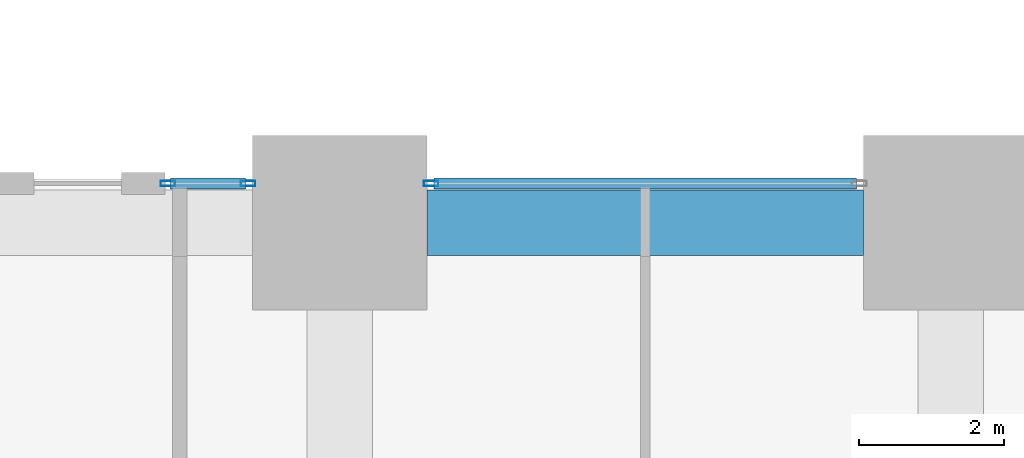
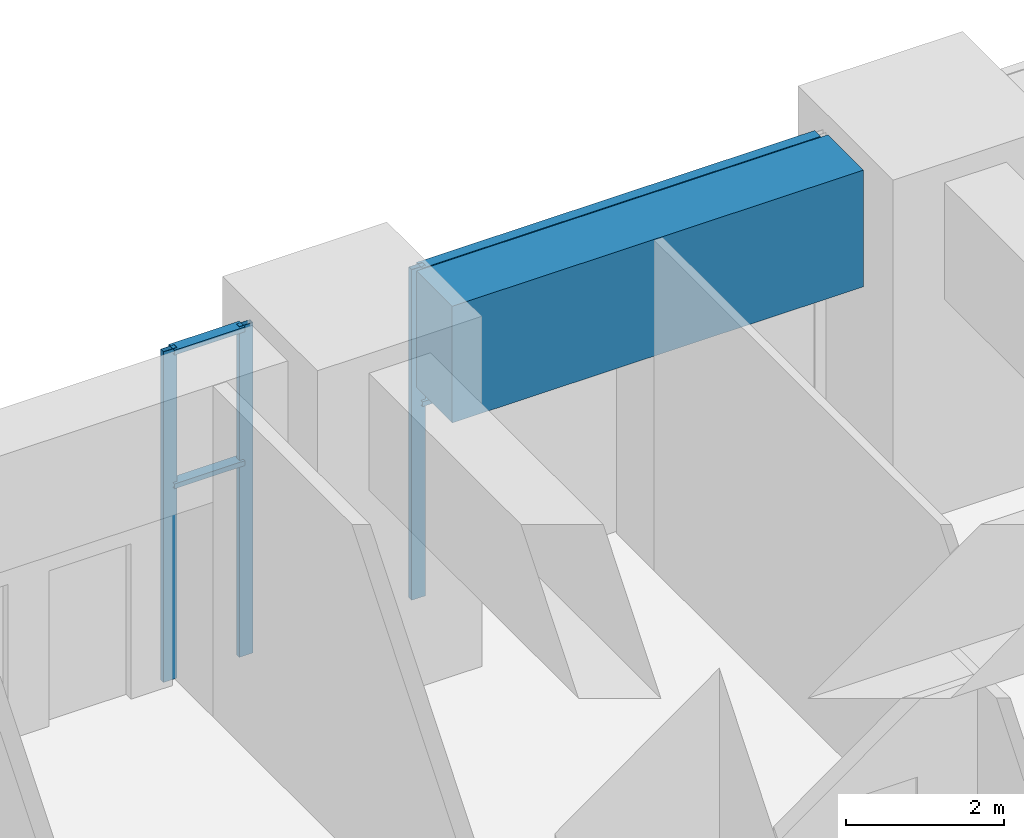
# One storey, part 28 of 81: 7 members, 1 beam, 2 elements without a shape of their own.
"""IFC4 building model written with IfcOpenShell, lengths in metres."""

from ifc_helpers import new_model, si_unit, direction, frame, origin, origin_2d, place, context, subcontext, project, spatial, rectangle, hollow_rectangle, extrude, material, material_profile, profile_set, type_object, element, aggregate, save


model = new_model("IFC4")

# Units and contexts
model_context = context("Model", 3, precision=1e-05, world=origin(), true_north=direction((0.0, 1.0)))
body_context = subcontext(model_context, "Body", "Model", "MODEL_VIEW")
ifc_project = project(units=[si_unit("LENGTHUNIT", "METRE"), si_unit("AREAUNIT", "SQUARE_METRE"), si_unit("VOLUMEUNIT", "CUBIC_METRE"), si_unit("PLANEANGLEUNIT", "RADIAN"), si_unit("MASSUNIT", "GRAM", prefix="KILO")], contexts=[model_context])

# Site, building, storey
site_placement = place(None, origin())
site = spatial("IfcSite", under=ifc_project, at=site_placement, CompositionType="ELEMENT")
building_placement = place(site_placement, origin())
building = spatial("IfcBuilding", under=site, at=building_placement, Name="Rekha Terrace Tower", CompositionType="ELEMENT")
storey_placement = place(building_placement, origin())
storey = spatial("IfcBuildingStorey", under=building, at=storey_placement, Name="L00", CompositionType="ELEMENT", Elevation=0.0)

# Curtain wall, member
ifc_material_1 = material(Name="Aluminium framing", Category="aluminium")
curtain_wall_type = type_object("IfcCurtainWallType", Name="CW4 podium shopfront glazing", PredefinedType="USERDEFINED", material=ifc_material_1)
curtain_wall_1_placement = place(storey_placement, origin())
curtain_wall_1 = element("IfcCurtainWall", 1, at=curtain_wall_1_placement, inside=storey, type_object=curtain_wall_type, Name="CW4 shopfront curtain wall", ObjectType="SHOPFRONT CURTAIN WALL", PredefinedType="USERDEFINED")
ifc_material_2 = material(Name="Aluminium mullion section", Category="aluminium")
ifc_material_profile_1 = material_profile(ifc_material_2, hollow_rectangle(XDim=0.074951171875, YDim=0.199951171875, WallThickness=0.00390625, at=origin_2d()), Name="AL RHS 75x200")
ifc_profile_set_1 = profile_set([ifc_material_profile_1], Name="Aluminium mullion section")
member_type_1 = type_object("IfcMemberType", Name="CW4 mullion RHS 75 x 200", PredefinedType="MULLION", material=ifc_profile_set_1)
member_1_placement = place(storey_placement, frame((60.0576171875, 59.340087890625, 0.0), z_axis=(0.0, 0.0, 1.0), x_axis=(0.0, -1.0, 0.0)))
member_1 = element("IfcMember", 2, at=member_1_placement, type_object=member_type_1, Name="CW4 mullion 2", PredefinedType="MULLION", context=body_context, shape_type="SweptSolid", body=[
    extrude(hollow_rectangle(XDim=0.074951171875, YDim=0.199951171875, WallThickness=0.00390625, at=origin_2d()), origin(), (0.0, 0.0, 1.0), 5.10009765625),
])

# Curtain wall, members
curtain_wall_2_placement = place(storey_placement, origin())
curtain_wall_2 = element("IfcCurtainWall", 3, at=curtain_wall_2_placement, inside=storey, type_object=curtain_wall_type, Name="CW4 shopfront curtain wall", ObjectType="SHOPFRONT CURTAIN WALL", PredefinedType="USERDEFINED")
member_2_placement = place(storey_placement, frame((57.54248046875, 59.340087890625, 0.0), z_axis=(0.0, 0.0, 1.0), x_axis=(0.0, -1.0, 0.0)))
member_2 = element("IfcMember", 4, at=member_2_placement, type_object=member_type_1, Name="CW4 mullion 1", PredefinedType="MULLION", context=body_context, shape_type="SweptSolid", body=[
    extrude(hollow_rectangle(XDim=0.074951171875, YDim=0.199951171875, WallThickness=0.00390625, at=origin_2d()), origin(), (0.0, 0.0, 1.0), 5.10009765625),
])
member_3_placement = place(storey_placement, frame((56.4375, 59.340087890625, 0.0), z_axis=(0.0, 0.0, 1.0), x_axis=(0.0, -1.0, 0.0)))
member_3 = element("IfcMember", 5, at=member_3_placement, type_object=member_type_1, Name="CW4 mullion 2", PredefinedType="MULLION", context=body_context, shape_type="SweptSolid", body=[
    extrude(hollow_rectangle(XDim=0.074951171875, YDim=0.199951171875, WallThickness=0.00390625, at=origin_2d()), origin(), (0.0, 0.0, 1.0), 5.10009765625),
])

# Member
ifc_material_3 = material(Name="Aluminium transom section", Category="aluminium")
ifc_material_profile_2 = material_profile(ifc_material_3, hollow_rectangle(XDim=0.14990234375, YDim=0.074951171875, WallThickness=0.0029296875, at=origin_2d()), Name="AL RHS 150x75")
ifc_profile_set_2 = profile_set([ifc_material_profile_2], Name="Aluminium transom section")
member_type_2 = type_object("IfcMemberType", Name="CW4 transom RHS 75 x 150", PredefinedType="USERDEFINED", material=ifc_profile_set_2)
member_4_placement = place(storey_placement, frame((65.905029296875, 59.340087890625, 3.0), z_axis=(-1.0, 0.0, 0.0), x_axis=(0.0, -1.0, 0.0)))
member_4 = element("IfcMember", 6, at=member_4_placement, type_object=member_type_2, Name="CW4 transom 1.2", ObjectType="TRANSOM", PredefinedType="USERDEFINED", context=body_context, shape_type="SweptSolid", body=[
    extrude(hollow_rectangle(XDim=0.14990234375, YDim=0.074951171875, WallThickness=0.0029296875, at=origin_2d()), origin(), (0.0, 0.0, 1.0), 5.81005859375),
])

member_5_placement = place(storey_placement, frame((65.905029296875, 59.340087890625, 5.0625), z_axis=(-1.0, 0.0, 0.0), x_axis=(0.0, -1.0, 0.0)))
member_5 = element("IfcMember", 7, at=member_5_placement, type_object=member_type_2, Name="CW4 transom 1.3", ObjectType="TRANSOM", PredefinedType="USERDEFINED", context=body_context, shape_type="SweptSolid", body=[
    extrude(hollow_rectangle(XDim=0.14990234375, YDim=0.074951171875, WallThickness=0.0029296875, at=origin_2d()), origin(), (0.0, 0.0, 1.0), 5.81005859375),
])

aggregate(curtain_wall_1, [member_1, member_4, member_5])

member_6_placement = place(storey_placement, frame((57.5048828125, 59.340087890625, 3.0), z_axis=(-1.0, 0.0, 0.0), x_axis=(0.0, -1.0, 0.0)))
member_6 = element("IfcMember", 8, at=member_6_placement, type_object=member_type_2, Name="CW4 transom 1.2", ObjectType="TRANSOM", PredefinedType="USERDEFINED", context=body_context, shape_type="SweptSolid", body=[
    extrude(hollow_rectangle(XDim=0.14990234375, YDim=0.074951171875, WallThickness=0.0029296875, at=origin_2d()), origin(), (0.0, 0.0, 1.0), 1.02978515625),
])

member_7_placement = place(storey_placement, frame((57.5048828125, 59.340087890625, 5.0625), z_axis=(-1.0, 0.0, 0.0), x_axis=(0.0, -1.0, 0.0)))
member_7 = element("IfcMember", 9, at=member_7_placement, type_object=member_type_2, Name="CW4 transom 1.3", ObjectType="TRANSOM", PredefinedType="USERDEFINED", context=body_context, shape_type="SweptSolid", body=[
    extrude(hollow_rectangle(XDim=0.14990234375, YDim=0.074951171875, WallThickness=0.0029296875, at=origin_2d()), origin(), (0.0, 0.0, 1.0), 1.02978515625),
])

aggregate(curtain_wall_2, [member_2, member_3, member_6, member_7])

# Beam
ifc_material_4 = material(Name="Concrete M60", Category="concrete")
ifc_material_profile_3 = material_profile(ifc_material_4, rectangle(XDim=0.89990234375, YDim=1.800048828125, at=origin_2d()), Name="RC 900x1800")
ifc_profile_set_3 = profile_set([ifc_material_profile_3], Name="Concrete M60")
beam_type = type_object("IfcBeamType", Name="G1 900x1800 podium floor beam", PredefinedType="BEAM", material=ifc_profile_set_3)
beam_placement = place(storey_placement, frame((60.0, 58.800048828125, 4.199951171875), z_axis=(1.0, 0.0, 0.0), x_axis=(0.0, 1.0, 0.0)))
element("IfcBeam", 10, at=beam_placement, inside=storey, type_object=beam_type, Name="Beam G1 8H-9H under L01", PredefinedType="BEAM", context=body_context, shape_type="SweptSolid", body=[
    extrude(rectangle(XDim=0.89990234375, YDim=1.800048828125, at=origin_2d()), origin(), (0.0, 0.0, 1.0), 6.0),
])

save(model, "model.ifc")
